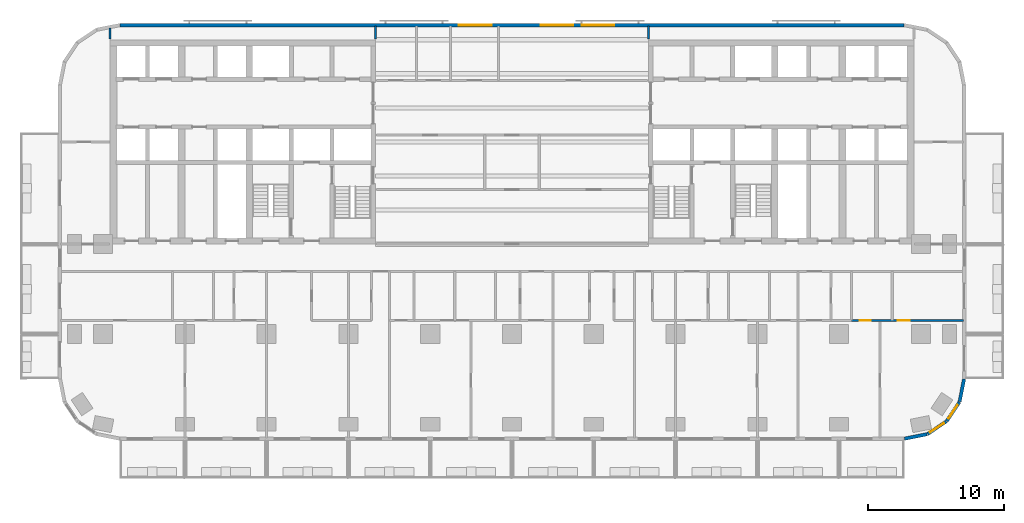
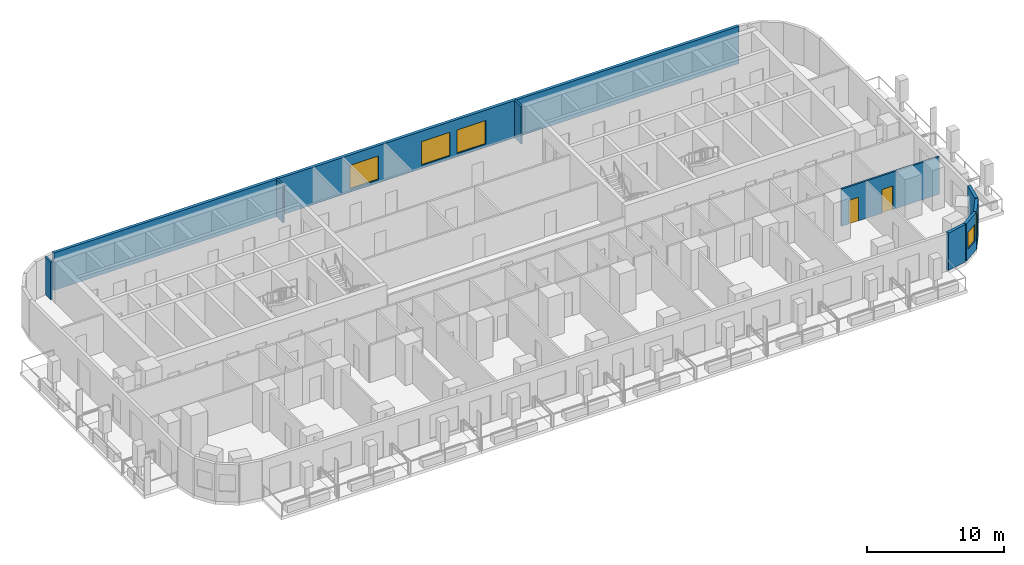
# One storey, part 8 of 14: 9 walls, 5 windows, 2 doors, 7 openings.
"""IFC4 building model written with IfcOpenShell, lengths in metres."""

import ifcopenshell
import ifcopenshell.guid

model = None  # the IFC model being written
_history = None  # IfcOwnerHistory: only IFC2X3 demands one
_inside = {}  # id of a spatial element -> (the spatial element, [elements in it])
_under = {}  # id of a project, library or spatial element -> (it, [spatial elements below it])
_declared = {}  # id of a project -> (the project, [libraries it declares])
_typed = {}  # id of a type object -> (the type object, [elements of that type])
_made_of = {}  # id of a material, layer set ... -> (it, [elements and type objects made of it])


def new_model(schema):
    """Start an empty IFC model of exactly this schema.

    Asked for "IFC4X3", IfcOpenShell would pick the latest addendum, in which some entities
    have other attributes; the version numbers below select the first issue.
    IFC2X3 requires an IfcOwnerHistory on every rooted entity: one is made here for all.
    """
    global model, _history
    if schema == "IFC4X3":
        model = ifcopenshell.file(schema_version=(4, 3, 0, 0))
    else:
        model = ifcopenshell.file(schema=schema)
    _inside.clear()
    _under.clear()
    _declared.clear()
    _typed.clear()
    _made_of.clear()
    _history = None
    if model.schema == "IFC2X3":
        org = make("IfcOrganization", Name="unknown")
        user = make(
            "IfcPersonAndOrganization",
            ThePerson=make("IfcPerson", FamilyName="unknown"),
            TheOrganization=org,
        )
        app = make(
            "IfcApplication",
            ApplicationDeveloper=org,
            Version="unknown",
            ApplicationFullName="unknown",
            ApplicationIdentifier="unknown",
        )
        _history = make(
            "IfcOwnerHistory",
            OwningUser=user,
            OwningApplication=app,
            ChangeAction="ADDED",
            CreationDate=0,
        )
    return model


def make(cls, **values):
    """One entity of the class cls with the attributes given. An attribute that is None is left unset."""
    return model.create_entity(
        cls, **{name: value for name, value in values.items() if value is not None}
    )


def rooted(cls, **values):
    """An entity with a GlobalId (a new one), such as an element, a storey or a relation."""
    return make(cls, GlobalId=ifcopenshell.guid.new(), OwnerHistory=_history, **values)


def si_unit(unit_type, name, prefix=None):
    """IfcSIUnit, for example si_unit("LENGTHUNIT", "METRE", prefix="MILLI")."""
    return make("IfcSIUnit", UnitType=unit_type, Prefix=prefix, Name=name)


def assignment(units):
    """IfcUnitAssignment: the units of a project."""
    return None if units is None else make("IfcUnitAssignment", Units=units)


def point(xyz):
    """IfcCartesianPoint."""
    return None if xyz is None else make("IfcCartesianPoint", Coordinates=xyz)


def direction(xyz):
    """IfcDirection."""
    return None if xyz is None else make("IfcDirection", DirectionRatios=xyz)


def frame(location, z_axis=None, x_axis=None):
    """IfcAxis2Placement3D, a coordinate frame: its origin and axes. An axis left out is left unset."""
    return make(
        "IfcAxis2Placement3D",
        Location=point(location),
        Axis=direction(z_axis),
        RefDirection=direction(x_axis),
    )


def frame_2d(location, x_axis=None):
    """IfcAxis2Placement2D, a coordinate frame in the plane: its origin and x axis."""
    return make(
        "IfcAxis2Placement2D", Location=point(location), RefDirection=direction(x_axis)
    )


def origin():
    """The frame at (0, 0, 0) with its axes left unset."""
    return frame((0.0, 0.0, 0.0))


def place(relative_to, where):
    """IfcLocalPlacement: puts the frame where relative to a parent placement (None: the world)."""
    return make(
        "IfcLocalPlacement", PlacementRelTo=relative_to, RelativePlacement=where
    )


def context(
    kind, dimensions, precision=None, world=None, true_north=None, identifier=None
):
    """IfcGeometricRepresentationContext, for example the 3D "Model" context."""
    return make(
        "IfcGeometricRepresentationContext",
        ContextIdentifier=identifier,
        ContextType=kind,
        CoordinateSpaceDimension=dimensions,
        Precision=precision,
        WorldCoordinateSystem=world,
        TrueNorth=true_north,
    )


def subcontext(parent, identifier, kind, view, scale=None):
    """IfcGeometricRepresentationSubContext, for example "Body" below "Model"."""
    return make(
        "IfcGeometricRepresentationSubContext",
        ContextIdentifier=identifier,
        ContextType=kind,
        ParentContext=parent,
        TargetScale=scale,
        TargetView=view,
    )


def project(units=None, contexts=None):
    """IfcProject with its units and contexts."""
    return rooted(
        "IfcProject",
        Name="project",
        RepresentationContexts=contexts,
        UnitsInContext=assignment(units),
    )


def spatial(cls, under=None, at=None, **own):
    """A site, building, storey or space (cls), placed at a placement, below another one or the project."""
    s = rooted(cls, ObjectPlacement=at, **own)
    if under is not None:
        _under.setdefault(under.id(), (under, []))[1].append(s)
    return s


def profile(cls, at=None, kind="AREA", **sizes):
    """A parametric profile (cls). Its sizes go by their IFC names, for example OverallWidth=200.0."""
    return make(cls, ProfileType=kind, Position=at, **sizes)


def rectangle(**sizes):
    """IfcRectangleProfileDef."""
    return profile("IfcRectangleProfileDef", **sizes)


def extrude(swept, where, along, depth):
    """IfcExtrudedAreaSolid: the profile swept, set in the frame where, extruded along a direction by depth."""
    return make(
        "IfcExtrudedAreaSolid",
        SweptArea=swept,
        Position=where,
        ExtrudedDirection=direction(along),
        Depth=depth,
    )


def shape(context_of_items, identifier, shape_type, items):
    """IfcShapeRepresentation: the items that make up one representation, for example the "Body"."""
    return make(
        "IfcShapeRepresentation",
        ContextOfItems=context_of_items,
        RepresentationIdentifier=identifier,
        RepresentationType=shape_type,
        Items=items,
    )


def material(Name=None, Category=None):
    """IfcMaterial."""
    return make("IfcMaterial", Name=Name, Category=Category)


def layer(
    of_material, thickness, ventilated=None, Name=None, Category=None, Priority=None
):
    """IfcMaterialLayer: one layer of a wall or slab, of a material (None: an air gap)."""
    return make(
        "IfcMaterialLayer",
        Material=of_material,
        LayerThickness=thickness,
        IsVentilated=ventilated,
        Name=Name,
        Category=Category,
        Priority=Priority,
    )


def layer_set(layers, Name=None):
    """IfcMaterialLayerSet."""
    return make("IfcMaterialLayerSet", MaterialLayers=layers, LayerSetName=Name)


def made_of(thing, what):
    """Note that an element or type object is made of a material, layer set ...; save() writes the relation."""
    if what is not None:
        _made_of.setdefault(what.id(), (what, []))[1].append(thing)
    return thing


def type_object(cls, material=None, **own):
    """A type object (cls), such as IfcWallType, which elements share."""
    return made_of(rooted(cls, **own), material)


def element(
    cls,
    number,
    at=None,
    inside=None,
    cuts=None,
    type_object=None,
    material=None,
    context=None,
    identifier="Body",
    shape_type=None,
    held_by="IfcProductDefinitionShape",
    body=None,
    shapes=None,
    **own,
):
    """One element of the class cls, such as IfcWall. Its Tag is "e" and its number.

    at: its placement. inside: the storey or other place that contains it. cuts: it is an
    opening in that element (IfcRelVoidsElement). A single representation is given by context,
    identifier, shape_type and body (its items); several are given by shapes. held_by: the class
    of the entity that holds the representations. save() writes the other relations.
    """
    e = rooted(cls, Tag="e%d" % number, ObjectPlacement=at, **own)
    if body is not None:
        shapes = [shape(context, identifier, shape_type, body)]
    if shapes is not None:
        e.Representation = make(held_by, Representations=shapes)
    if inside is not None:
        _inside.setdefault(inside.id(), (inside, []))[1].append(e)
    if cuts is not None:
        rooted(
            "IfcRelVoidsElement", RelatingBuildingElement=cuts, RelatedOpeningElement=e
        )
    if type_object is not None:
        _typed.setdefault(type_object.id(), (type_object, []))[1].append(e)
    return made_of(e, material)


def fill(opening, filler):
    """IfcRelFillsElement: the door or window that sits in an opening."""
    return rooted(
        "IfcRelFillsElement",
        RelatingOpeningElement=opening,
        RelatedBuildingElement=filler,
    )


def aggregate(whole, parts):
    """IfcRelAggregates: a whole, such as a stair, and the parts it consists of."""
    return rooted("IfcRelAggregates", RelatingObject=whole, RelatedObjects=parts)


def save(model, path):
    """Write the relations noted so far, then the file.

    IfcRelAggregates (storeys below a building ...), IfcRelContainedInSpatialStructure (elements
    in a storey), IfcRelDefinesByType, IfcRelAssociatesMaterial and IfcRelDeclares: one each for
    every whole, place, type object, material and project.
    """
    for whole, parts in _under.values():
        aggregate(whole, parts)
    for where, things in _inside.values():
        rooted(
            "IfcRelContainedInSpatialStructure",
            RelatedElements=things,
            RelatingStructure=where,
        )
    for kind, things in _typed.values():
        rooted("IfcRelDefinesByType", RelatedObjects=things, RelatingType=kind)
    for what, things in _made_of.values():
        rooted("IfcRelAssociatesMaterial", RelatedObjects=things, RelatingMaterial=what)
    for by, libraries in _declared.values():
        rooted("IfcRelDeclares", RelatingContext=by, RelatedDefinitions=libraries)
    model.write(path)


model = new_model("IFC4")

# Units and contexts
model_context = context("Model", 3, precision=1e-05, world=origin(), true_north=direction((0.0, 1.0)))
body_context = subcontext(model_context, "Body", "Model", "MODEL_VIEW")
ifc_project = project(units=[si_unit("LENGTHUNIT", "METRE"), si_unit("AREAUNIT", "SQUARE_METRE"), si_unit("VOLUMEUNIT", "CUBIC_METRE"), si_unit("PLANEANGLEUNIT", "RADIAN"), si_unit("MASSUNIT", "GRAM", prefix="KILO")], contexts=[model_context])

# Site, building, storey
site_placement = place(None, origin())
site = spatial("IfcSite", under=ifc_project, at=site_placement, CompositionType="ELEMENT")
building_placement = place(site_placement, origin())
building = spatial("IfcBuilding", under=site, at=building_placement, Name="Torana Hotel and Residences", CompositionType="ELEMENT")
storey_placement = place(building_placement, frame((0.0, 0.0, 96.0)))
storey = spatial("IfcBuildingStorey", under=building, at=storey_placement, Name="L24", CompositionType="ELEMENT", Elevation=96.0)

# Wall
ifc_material_1 = material(Name="Black aluminium composite panel", Category="aluminium")
ifc_layer_1 = layer(ifc_material_1, 0.00390625, Name="Cladding", Category="cladding")
ifc_material_2 = material(Name="Ventilated air cavity")
ifc_layer_2 = layer(ifc_material_2, 0.0400390625, Name="Ventilated cavity", Category="cavity")
ifc_material_3 = material(Name="Mineral wool insulation")
ifc_layer_3 = layer(ifc_material_3, 0.090087890625, Name="Insulation", Category="insulation")
ifc_material_4 = material(Name="Steel S280GD", Category="steel")
ifc_layer_4 = layer(ifc_material_4, 0.092041015625, Name="Steel stud frame", Category="structure")
ifc_material_5 = material(Name="Fire rated plasterboard")
ifc_layer_5 = layer(ifc_material_5, 0.011962890625, Name="Inner board", Category="finish")
ifc_layer_6 = layer(ifc_material_5, 0.011962890625, Name="Second board", Category="finish")
ifc_layer_set_1 = layer_set([ifc_layer_1, ifc_layer_2, ifc_layer_3, ifc_layer_4, ifc_layer_5, ifc_layer_6], Name="EW1 EXTERNAL WALL BLACK METAL CLAD 250")
wall_type_1 = type_object("IfcWallType", Name="EW1 EXTERNAL WALL BLACK METAL CLAD 250", PredefinedType="SOLIDWALL", material=ifc_layer_set_1)
wall_1_placement = place(storey_placement, frame((28.7998046875, -29.272705078125, 0.0), z_axis=(0.0, 0.0, 1.0), x_axis=(0.980775640221, 0.19513878023, 0.0)))
element("IfcWall", 1, at=wall_1_placement, inside=storey, type_object=wall_type_1, Name="External wall L24 e0.15", PredefinedType="SOLIDWALL", context=body_context, shape_type="SweptSolid", body=[
    extrude(rectangle(XDim=1.681396484375, YDim=0.25, at=frame_2d((0.8408203125, 0.0))), origin(), (0.0, 0.0, 1.0), 3.320068359375),
])

# Wall, opening, window
wall_2_placement = place(storey_placement, frame((30.493896484375, -28.92578125, 0.0), z_axis=(0.0, 0.0, 1.0), x_axis=(0.831482937015, 0.55555029066, 0.0)))
wall_2 = element("IfcWall", 2, at=wall_2_placement, inside=storey, type_object=wall_type_1, Name="External wall L24 e0.16", PredefinedType="SOLIDWALL", context=body_context, shape_type="SweptSolid", body=[
    extrude(rectangle(XDim=1.65625, YDim=0.25, at=frame_2d((0.828125, 0.0))), origin(), (0.0, 0.0, 1.0), 3.320068359375),
])
opening_1_placement = place(wall_2_placement, frame((0.228271484375, 0.0, 0.89990234375)))
opening_1 = element("IfcOpeningElement", 3, at=opening_1_placement, cuts=wall_2, Name="Opening W5", PredefinedType="OPENING", context=body_context, shape_type="SweptSolid", body=[
    extrude(rectangle(XDim=1.199951171875, YDim=1.5, at=frame_2d((0.60009765625, 0.75))), frame((0.0, 0.135009765625, 0.0), z_axis=(0.0, -1.0, 0.0), x_axis=(1.0, 0.0, 0.0)), (0.0, 0.0, 1.0), 0.27001953125),
])
ifc_material_6 = material(Name="Dark glass in black aluminium frame", Category="aluminium")
window_type_1 = type_object("IfcWindowType", Name="W5 CORNER FACET WINDOW 1200x1500", PartitioningType="SINGLE_PANEL", PredefinedType="WINDOW", material=ifc_material_6)
window_1_placement = place(opening_1_placement, origin())
window_1 = element("IfcWindow", 4, at=window_1_placement, inside=storey, type_object=window_type_1, Name="Window L24 e0.16", OverallHeight=1.5, OverallWidth=1.199951171875, PartitioningType="SINGLE_PANEL", PredefinedType="WINDOW", context=body_context, shape_type="SweptSolid", body=[
    extrude(rectangle(XDim=1.199951171875, YDim=1.5, at=frame_2d((0.60009765625, 0.75))), frame((0.0, 0.030029296875, 0.0), z_axis=(0.0, -1.0, 0.0), x_axis=(1.0, 0.0, 0.0)), (0.0, 0.0, 1.0), 0.06005859375),
])
fill(opening_1, window_1)

wall_3_placement = place(storey_placement, frame((31.90576171875, -27.97119140625, 0.0), z_axis=(0.0, 0.0, 1.0), x_axis=(0.55555029066, 0.831482937015, 0.0)))
wall_3 = element("IfcWall", 5, at=wall_3_placement, inside=storey, type_object=wall_type_1, Name="External wall L24 e0.17", PredefinedType="SOLIDWALL", context=body_context, shape_type="SweptSolid", body=[
    extrude(rectangle(XDim=1.65625, YDim=0.25, at=frame_2d((0.828125, 0.0))), origin(), (0.0, 0.0, 1.0), 3.320068359375),
])
opening_2_placement = place(wall_3_placement, frame((0.228271484375, 0.0, 0.89990234375)))
opening_2 = element("IfcOpeningElement", 6, at=opening_2_placement, cuts=wall_3, Name="Opening W5", PredefinedType="OPENING", context=body_context, shape_type="SweptSolid", body=[
    extrude(rectangle(XDim=1.199951171875, YDim=1.5, at=frame_2d((0.60009765625, 0.75))), frame((0.0, 0.135009765625, 0.0), z_axis=(0.0, -1.0, 0.0), x_axis=(1.0, 0.0, 0.0)), (0.0, 0.0, 1.0), 0.27001953125),
])
window_2_placement = place(opening_2_placement, origin())
window_2 = element("IfcWindow", 7, at=window_2_placement, inside=storey, type_object=window_type_1, Name="Window L24 e0.17", OverallHeight=1.5, OverallWidth=1.199951171875, PartitioningType="SINGLE_PANEL", PredefinedType="WINDOW", context=body_context, shape_type="SweptSolid", body=[
    extrude(rectangle(XDim=1.199951171875, YDim=1.5, at=frame_2d((0.60009765625, 0.75))), frame((0.0, 0.030029296875, 0.0), z_axis=(0.0, -1.0, 0.0), x_axis=(1.0, 0.0, 0.0)), (0.0, 0.0, 1.0), 0.06005859375),
])
fill(opening_2, window_2)

# Wall
wall_4_placement = place(storey_placement, frame((32.844482421875, -26.548828125, 0.0), z_axis=(0.0, 0.0, 1.0), x_axis=(0.195166572128, 0.980770110232, 0.0)))
element("IfcWall", 8, at=wall_4_placement, inside=storey, type_object=wall_type_1, Name="External wall L24 e0.18", PredefinedType="SOLIDWALL", context=body_context, shape_type="SweptSolid", body=[
    extrude(rectangle(XDim=1.68115234375, YDim=0.25, at=frame_2d((0.840576171875, 0.0))), origin(), (0.0, 0.0, 1.0), 3.320068359375),
])

# Wall, openings, windows
ifc_material_7 = material(Name="Concrete C40/50 precast", Category="concrete")
ifc_layer_7 = layer(ifc_material_7, 0.10009765625, Name="Perforated block", Category="cladding")
ifc_material_8 = material(Name="Air cavity")
ifc_layer_8 = layer(ifc_material_8, 0.030029296875, Name="Cavity", Category="cavity")
ifc_material_9 = material(Name="Concrete C40/50", Category="concrete")
ifc_layer_9 = layer(ifc_material_9, 0.10009765625, Name="Wall", Category="structure")
ifc_material_10 = material(Name="Plaster and paint")
ifc_layer_10 = layer(ifc_material_10, 0.02001953125, Name="Inner finish", Category="finish")
ifc_layer_set_2 = layer_set([ifc_layer_7, ifc_layer_8, ifc_layer_9, ifc_layer_10], Name="EW2 PERFORATED BLOCK SCREEN WALL 250")
wall_type_2 = type_object("IfcWallType", Name="EW2 PERFORATED BLOCK SCREEN WALL 250", PredefinedType="SOLIDWALL", material=ifc_layer_set_2)
wall_5_placement = place(storey_placement, frame((28.775390625, 1.074951171875, 0.0), z_axis=(0.0, 0.0, 1.0), x_axis=(-1.0, 0.0, 0.0)))
wall_5 = element("IfcWall", 9, at=wall_5_placement, inside=storey, type_object=wall_type_2, Name="External wall L24 e0.4", PredefinedType="SOLIDWALL", context=body_context, shape_type="SweptSolid", body=[
    extrude(rectangle(XDim=57.55078125, YDim=0.25, at=frame_2d((28.775390625, 0.0))), origin(), (0.0, 0.0, 1.0), 3.320068359375),
])
opening_3_placement = place(wall_5_placement, frame((21.275390625, 0.0, 0.300048828125)))
opening_3 = element("IfcOpeningElement", 10, at=opening_3_placement, cuts=wall_5, Name="Opening W1", PredefinedType="OPENING", context=body_context, shape_type="SweptSolid", body=[
    extrude(rectangle(XDim=2.39990234375, YDim=2.10009765625, at=frame_2d((1.199951171875, 1.050048828125))), frame((0.0, 0.135009765625, 0.0), z_axis=(0.0, -1.0, 0.0), x_axis=(1.0, 0.0, 0.0)), (0.0, 0.0, 1.0), 0.27001953125),
])
opening_4_placement = place(wall_5_placement, frame((24.275390625, 0.0, 0.300048828125)))
opening_4 = element("IfcOpeningElement", 11, at=opening_4_placement, cuts=wall_5, Name="Opening W1", PredefinedType="OPENING", context=body_context, shape_type="SweptSolid", body=[
    extrude(rectangle(XDim=2.39990234375, YDim=2.10009765625, at=frame_2d((1.199951171875, 1.050048828125))), frame((0.0, 0.135009765625, 0.0), z_axis=(0.0, -1.0, 0.0), x_axis=(1.0, 0.0, 0.0)), (0.0, 0.0, 1.0), 0.27001953125),
])
opening_5_placement = place(wall_5_placement, frame((30.275390625, 0.0, 0.300048828125)))
opening_5 = element("IfcOpeningElement", 12, at=opening_5_placement, cuts=wall_5, Name="Opening W1", PredefinedType="OPENING", context=body_context, shape_type="SweptSolid", body=[
    extrude(rectangle(XDim=2.39990234375, YDim=2.10009765625, at=frame_2d((1.199951171875, 1.050048828125))), frame((0.0, 0.135009765625, 0.0), z_axis=(0.0, -1.0, 0.0), x_axis=(1.0, 0.0, 0.0)), (0.0, 0.0, 1.0), 0.27001953125),
])
ifc_material_11 = material(Name="Dark glass in black aluminium frame", Category="aluminium")
window_type_2 = type_object("IfcWindowType", Name="W1 HOTEL ROOM WINDOW 2400x2100", PartitioningType="SINGLE_PANEL", PredefinedType="WINDOW", material=ifc_material_11)
window_3_placement = place(opening_3_placement, origin())
window_3 = element("IfcWindow", 13, at=window_3_placement, inside=storey, type_object=window_type_2, Name="Window L24", OverallHeight=2.10009765625, OverallWidth=2.39990234375, PartitioningType="SINGLE_PANEL", PredefinedType="WINDOW", context=body_context, shape_type="SweptSolid", body=[
    extrude(rectangle(XDim=2.39990234375, YDim=2.10009765625, at=frame_2d((1.199951171875, 1.050048828125))), frame((0.0, 0.030029296875, 0.0), z_axis=(0.0, -1.0, 0.0), x_axis=(1.0, 0.0, 0.0)), (0.0, 0.0, 1.0), 0.06005859375),
])
fill(opening_3, window_3)
window_4_placement = place(opening_4_placement, origin())
window_4 = element("IfcWindow", 14, at=window_4_placement, inside=storey, type_object=window_type_2, Name="Window L24", OverallHeight=2.10009765625, OverallWidth=2.39990234375, PartitioningType="SINGLE_PANEL", PredefinedType="WINDOW", context=body_context, shape_type="SweptSolid", body=[
    extrude(rectangle(XDim=2.39990234375, YDim=2.10009765625, at=frame_2d((1.199951171875, 1.050048828125))), frame((0.0, 0.030029296875, 0.0), z_axis=(0.0, -1.0, 0.0), x_axis=(1.0, 0.0, 0.0)), (0.0, 0.0, 1.0), 0.06005859375),
])
fill(opening_4, window_4)
window_5_placement = place(opening_5_placement, origin())
window_5 = element("IfcWindow", 15, at=window_5_placement, inside=storey, type_object=window_type_2, Name="Window L24", OverallHeight=2.10009765625, OverallWidth=2.39990234375, PartitioningType="SINGLE_PANEL", PredefinedType="WINDOW", context=body_context, shape_type="SweptSolid", body=[
    extrude(rectangle(XDim=2.39990234375, YDim=2.10009765625, at=frame_2d((1.199951171875, 1.050048828125))), frame((0.0, 0.030029296875, 0.0), z_axis=(0.0, -1.0, 0.0), x_axis=(1.0, 0.0, 0.0)), (0.0, 0.0, 1.0), 0.06005859375),
])
fill(opening_5, window_5)

# Walls
ifc_material_12 = material(Name="Gypsum plasterboard")
ifc_layer_11 = layer(ifc_material_12, 0.012451171875, Name="Plasterboard", Category="finish")
ifc_layer_12 = layer(ifc_material_12, 0.012451171875, Name="Plasterboard", Category="finish")
ifc_layer_13 = layer(ifc_material_4, 0.10009765625, Name="Steel studs with mineral wool", Category="insulation")
ifc_layer_14 = layer(ifc_material_12, 0.012451171875, Name="Plasterboard", Category="finish")
ifc_layer_15 = layer(ifc_material_12, 0.012451171875, Name="Plasterboard", Category="finish")
ifc_layer_set_3 = layer_set([ifc_layer_11, ifc_layer_12, ifc_layer_13, ifc_layer_14, ifc_layer_15], Name="PARTITION 150 PLASTERBOARD")
wall_type_3 = type_object("IfcWallType", Name="PARTITION 150 PLASTERBOARD", PredefinedType="PARTITIONING", material=ifc_layer_set_3)
wall_6_placement = place(storey_placement, frame((10.0, 0.050048828125, 0.0), z_axis=(0.0, 0.0, 1.0), x_axis=(0.0, 1.0, 0.0)))
element("IfcWall", 16, at=wall_6_placement, inside=storey, type_object=wall_type_3, Name="Partition L24", PredefinedType="PARTITIONING", context=body_context, shape_type="SweptSolid", body=[
    extrude(rectangle(XDim=0.969970703125, YDim=0.14990234375, at=frame_2d((0.48486328125, 0.0))), origin(), (0.0, 0.0, 1.0), 3.320068359375),
])
wall_7_placement = place(storey_placement, frame((-29.5, 0.050048828125, 0.0), z_axis=(0.0, 0.0, 1.0), x_axis=(0.0, 1.0, 0.0)))
element("IfcWall", 17, at=wall_7_placement, inside=storey, type_object=wall_type_3, Name="Partition L24", PredefinedType="PARTITIONING", context=body_context, shape_type="SweptSolid", body=[
    extrude(rectangle(XDim=0.8271484375, YDim=0.14990234375, at=frame_2d((0.41357421875, 0.0))), origin(), (0.0, 0.0, 1.0), 3.320068359375),
])

# Wall, openings, doors
wall_8_placement = place(storey_placement, frame((24.89990234375, -20.60009765625, 0.0), z_axis=(0.0, 0.0, 1.0), x_axis=(1.0, 0.0, 0.0)))
wall_8 = element("IfcWall", 18, at=wall_8_placement, inside=storey, type_object=wall_type_3, Name="Partition L24", PredefinedType="PARTITIONING", context=body_context, shape_type="SweptSolid", body=[
    extrude(rectangle(XDim=8.22021484375, YDim=0.14990234375, at=frame_2d((4.110107421875, 0.0))), origin(), (0.0, 0.0, 1.0), 3.320068359375),
])
opening_6_placement = place(wall_8_placement, frame((0.6298828125, 0.0, 0.0)))
opening_6 = element("IfcOpeningElement", 19, at=opening_6_placement, cuts=wall_8, Name="Opening L24-75", PredefinedType="OPENING", context=body_context, shape_type="SweptSolid", body=[
    extrude(rectangle(XDim=0.800048828125, YDim=2.10009765625, at=frame_2d((0.39990234375, 1.050048828125))), frame((0.0, 0.0849609375, 0.0), z_axis=(0.0, -1.0, 0.0), x_axis=(1.0, 0.0, 0.0)), (0.0, 0.0, 1.0), 0.169921875),
])
opening_7_placement = place(wall_8_placement, frame((3.39990234375, 0.0, 0.0)))
opening_7 = element("IfcOpeningElement", 20, at=opening_7_placement, cuts=wall_8, Name="Opening L24-76", PredefinedType="OPENING", context=body_context, shape_type="SweptSolid", body=[
    extrude(rectangle(XDim=0.89990234375, YDim=2.10009765625, at=frame_2d((0.449951171875, 1.050048828125))), frame((0.0, 0.0849609375, 0.0), z_axis=(0.0, -1.0, 0.0), x_axis=(1.0, 0.0, 0.0)), (0.0, 0.0, 1.0), 0.169921875),
])
ifc_material_13 = material(Name="Timber door, painted", Category="wood")
door_type_1 = type_object("IfcDoorType", Name="BATH DOOR D13 800x2100", OperationType="SINGLE_SWING_LEFT", PredefinedType="DOOR", material=ifc_material_13)
door_1_placement = place(opening_6_placement, origin())
door_1 = element("IfcDoor", 21, at=door_1_placement, inside=storey, type_object=door_type_1, Name="Door L24", OperationType="SINGLE_SWING_RIGHT", OverallHeight=2.10009765625, OverallWidth=0.800048828125, PredefinedType="DOOR", context=body_context, shape_type="SweptSolid", body=[
    extrude(rectangle(XDim=0.800048828125, YDim=2.10009765625, at=frame_2d((0.39990234375, 1.050048828125))), frame((0.0, 0.02490234375, 0.0), z_axis=(0.0, -1.0, 0.0), x_axis=(1.0, 0.0, 0.0)), (0.0, 0.0, 1.0), 0.050048828125),
])
fill(opening_6, door_1)
ifc_material_14 = material(Name="Timber door, oiled ash", Category="wood")
door_type_2 = type_object("IfcDoorType", Name="ROOM DOOR D7 900x2100", OperationType="SINGLE_SWING_LEFT", PredefinedType="DOOR", material=ifc_material_14)
door_2_placement = place(opening_7_placement, origin())
door_2 = element("IfcDoor", 22, at=door_2_placement, inside=storey, type_object=door_type_2, Name="Door L24", OperationType="SINGLE_SWING_RIGHT", OverallHeight=2.10009765625, OverallWidth=0.89990234375, PredefinedType="DOOR", context=body_context, shape_type="SweptSolid", body=[
    extrude(rectangle(XDim=0.89990234375, YDim=2.10009765625, at=frame_2d((0.449951171875, 1.050048828125))), frame((0.0, 0.02490234375, 0.0), z_axis=(0.0, -1.0, 0.0), x_axis=(1.0, 0.0, 0.0)), (0.0, 0.0, 1.0), 0.050048828125),
])
fill(opening_7, door_2)

# Wall
ifc_material_15 = material(Name="Ceramic tile on adhesive")
ifc_layer_16 = layer(ifc_material_15, 0.010009765625, Name="Wall tile", Category="finish")
ifc_material_16 = material(Name="Cement render")
ifc_layer_17 = layer(ifc_material_16, 0.010009765625, Name="Render", Category="finish")
ifc_material_17 = material(Name="Concrete blockwork", Category="masonry")
ifc_layer_18 = layer(ifc_material_17, 0.110107421875, Name="Blockwork", Category="structure")
ifc_layer_19 = layer(ifc_material_16, 0.010009765625, Name="Render", Category="finish")
ifc_layer_20 = layer(ifc_material_15, 0.010009765625, Name="Wall tile", Category="finish")
ifc_layer_set_4 = layer_set([ifc_layer_16, ifc_layer_17, ifc_layer_18, ifc_layer_19, ifc_layer_20], Name="WC PARTITION 150")
wall_type_4 = type_object("IfcWallType", Name="WC PARTITION 150", PredefinedType="PLUMBINGWALL", material=ifc_layer_set_4)
wall_9_placement = place(storey_placement, frame((-10.0, 0.050048828125, 0.0), z_axis=(0.0, 0.0, 1.0), x_axis=(0.0, 1.0, 0.0)))
element("IfcWall", 23, at=wall_9_placement, inside=storey, type_object=wall_type_4, Name="Partition L24", PredefinedType="PLUMBINGWALL", context=body_context, shape_type="SweptSolid", body=[
    extrude(rectangle(XDim=0.969970703125, YDim=0.14990234375, at=frame_2d((0.48486328125, 0.0))), origin(), (0.0, 0.0, 1.0), 3.320068359375),
])

save(model, "model.ifc")
